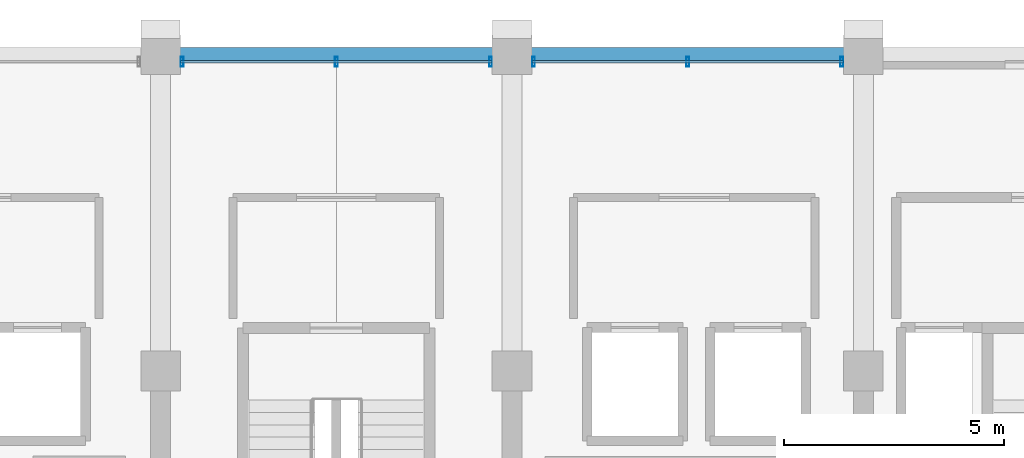
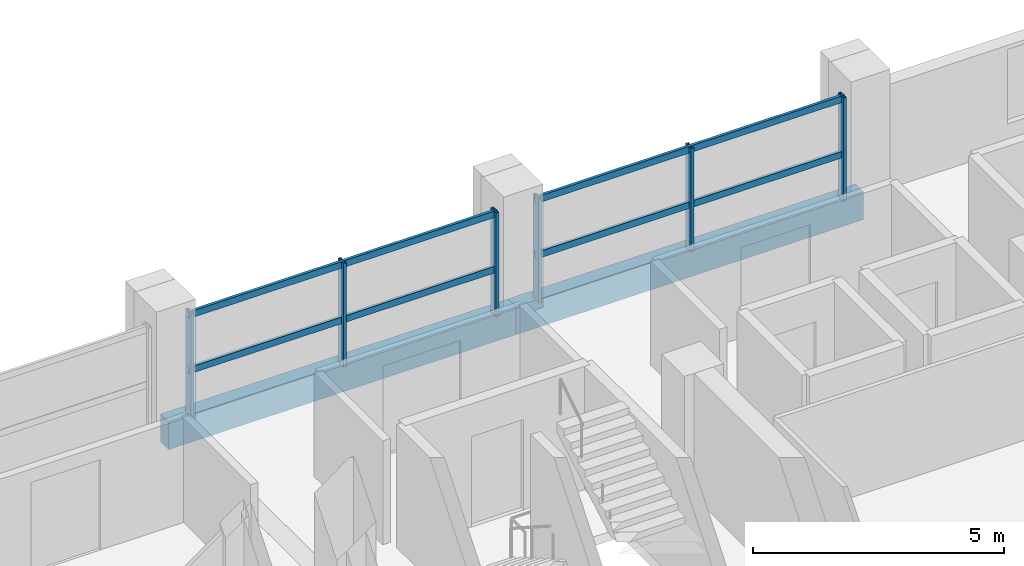
# One storey, part 12 of 21: 10 members, 2 beams, 2 elements without a shape of their own.
"""IFC4 building model written with IfcOpenShell, lengths in metres."""

from ifc_helpers import new_model, si_unit, direction, frame, origin, origin_2d, place, context, subcontext, project, spatial, rectangle, hollow_rectangle, extrude, material, material_profile, profile_set, type_object, element, aggregate, save


model = new_model("IFC4")

# Units and contexts
model_context = context("Model", 3, precision=1e-05, world=origin(), true_north=direction((0.0, 1.0)))
body_context = subcontext(model_context, "Body", "Model", "MODEL_VIEW")
ifc_project = project(units=[si_unit("LENGTHUNIT", "METRE"), si_unit("AREAUNIT", "SQUARE_METRE"), si_unit("VOLUMEUNIT", "CUBIC_METRE"), si_unit("PLANEANGLEUNIT", "RADIAN"), si_unit("MASSUNIT", "GRAM", prefix="KILO")], contexts=[model_context])

# Site, building, storey
site_placement = place(None, origin())
site = spatial("IfcSite", under=ifc_project, at=site_placement, CompositionType="ELEMENT")
building_placement = place(site_placement, origin())
building = spatial("IfcBuilding", under=site, at=building_placement, Name="Akrevak Sports Hall", CompositionType="ELEMENT")
storey_placement = place(building_placement, frame((0.0, 0.0, 34.050048828125)))
storey = spatial("IfcBuildingStorey", under=building, at=storey_placement, Name="L07", CompositionType="ELEMENT", Elevation=34.050048828125)

# Curtain wall, members
ifc_material_1 = material(Name="Anodized Bronze Aluminium & Low-E Glass", Category="aluminium")
curtain_wall_type = type_object("IfcCurtainWallType", Name="ARC-CW-TWR-56x30", PredefinedType="NOTDEFINED", material=ifc_material_1)
curtain_wall_1_placement = place(storey_placement, origin())
curtain_wall_1 = element("IfcCurtainWall", 1, at=curtain_wall_1_placement, inside=storey, type_object=curtain_wall_type, Name="Curtain Wall CW-L07-N22", PredefinedType="NOTDEFINED")
ifc_material_2 = material(Name="Anodized Bronze Aluminium", Category="aluminium")
ifc_material_profile_1 = material_profile(ifc_material_2, hollow_rectangle(XDim=0.06494140625, YDim=0.219970703125, WallThickness=0.00439453125, at=origin_2d()), Name="CWM 65x220", Category="aluminium")
ifc_profile_set_1 = profile_set([ifc_material_profile_1], Name="Anodized Bronze Aluminium")
member_type_1 = type_object("IfcMemberType", Name="ARC-CWM-70x160", PredefinedType="MULLION", material=ifc_profile_set_1)
member_1_placement = place(storey_placement, frame((91.510009765625, 69.43994140625, 0.0), z_axis=(0.0, 0.0, 1.0), x_axis=(-1.0, 0.0, 0.0)))
member_1 = element("IfcMember", 2, at=member_1_placement, type_object=member_type_1, Name="Curtain Wall Mullion CW-L07-N22-M1", PredefinedType="MULLION", context=body_context, shape_type="SweptSolid", body=[
    extrude(hollow_rectangle(XDim=0.06494140625, YDim=0.219970703125, WallThickness=0.00439453125, at=origin_2d()), origin(), (0.0, 0.0, 1.0), 2.530029296875),
])
member_2_placement = place(storey_placement, frame((88.0, 69.43994140625, 0.0), z_axis=(0.0, 0.0, 1.0), x_axis=(-1.0, 0.0, 0.0)))
member_2 = element("IfcMember", 3, at=member_2_placement, type_object=member_type_1, Name="Curtain Wall Mullion CW-L07-N22-M2", PredefinedType="MULLION", context=body_context, shape_type="SweptSolid", body=[
    extrude(hollow_rectangle(XDim=0.06494140625, YDim=0.219970703125, WallThickness=0.00439453125, at=origin_2d()), origin(), (0.0, 0.0, 1.0), 2.530029296875),
])
member_3_placement = place(storey_placement, frame((84.489990234375, 69.43994140625, 0.0), z_axis=(0.0, 0.0, 1.0), x_axis=(-1.0, 0.0, 0.0)))
member_3 = element("IfcMember", 4, at=member_3_placement, type_object=member_type_1, Name="Curtain Wall Mullion CW-L07-N22-M3", PredefinedType="MULLION", context=body_context, shape_type="SweptSolid", body=[
    extrude(hollow_rectangle(XDim=0.06494140625, YDim=0.219970703125, WallThickness=0.00439453125, at=origin_2d()), origin(), (0.0, 0.0, 1.0), 2.530029296875),
])

curtain_wall_2_placement = place(storey_placement, origin())
curtain_wall_2 = element("IfcCurtainWall", 5, at=curtain_wall_2_placement, inside=storey, type_object=curtain_wall_type, Name="Curtain Wall CW-L07-N23", PredefinedType="NOTDEFINED")
member_4_placement = place(storey_placement, frame((83.510009765625, 69.43994140625, 0.0), z_axis=(0.0, 0.0, 1.0), x_axis=(-1.0, 0.0, 0.0)))
member_4 = element("IfcMember", 6, at=member_4_placement, type_object=member_type_1, Name="Curtain Wall Mullion CW-L07-N23-M1", PredefinedType="MULLION", context=body_context, shape_type="SweptSolid", body=[
    extrude(hollow_rectangle(XDim=0.06494140625, YDim=0.219970703125, WallThickness=0.00439453125, at=origin_2d()), origin(), (0.0, 0.0, 1.0), 2.530029296875),
])
member_5_placement = place(storey_placement, frame((80.0, 69.43994140625, 0.0), z_axis=(0.0, 0.0, 1.0), x_axis=(-1.0, 0.0, 0.0)))
member_5 = element("IfcMember", 7, at=member_5_placement, type_object=member_type_1, Name="Curtain Wall Mullion CW-L07-N23-M2", PredefinedType="MULLION", context=body_context, shape_type="SweptSolid", body=[
    extrude(hollow_rectangle(XDim=0.06494140625, YDim=0.219970703125, WallThickness=0.00439453125, at=origin_2d()), origin(), (0.0, 0.0, 1.0), 2.530029296875),
])
member_6_placement = place(storey_placement, frame((76.489990234375, 69.43994140625, 0.0), z_axis=(0.0, 0.0, 1.0), x_axis=(-1.0, 0.0, 0.0)))
member_6 = element("IfcMember", 8, at=member_6_placement, type_object=member_type_1, Name="Curtain Wall Mullion CW-L07-N23-M3", PredefinedType="MULLION", context=body_context, shape_type="SweptSolid", body=[
    extrude(hollow_rectangle(XDim=0.06494140625, YDim=0.219970703125, WallThickness=0.00439453125, at=origin_2d()), origin(), (0.0, 0.0, 1.0), 2.530029296875),
])

# Member
ifc_material_profile_2 = material_profile(ifc_material_2, hollow_rectangle(XDim=0.06494140625, YDim=0.159912109375, WallThickness=0.00390625, at=origin_2d()), Name="CWT 65x160", Category="aluminium")
ifc_profile_set_2 = profile_set([ifc_material_profile_2], Name="Anodized Bronze Aluminium")
member_type_2 = type_object("IfcMemberType", Name="ARC-CWT-70x130", PredefinedType="USERDEFINED", material=ifc_profile_set_2)
member_7_placement = place(storey_placement, frame((91.550048828125, 69.43994140625, 1.099853515625), z_axis=(-1.0, 0.0, 0.0), x_axis=(0.0, -1.0, 0.0)))
member_7 = element("IfcMember", 9, at=member_7_placement, type_object=member_type_2, Name="Curtain Wall Transom CW-L07-N22-T1", ObjectType="TRANSOM", PredefinedType="USERDEFINED", context=body_context, shape_type="SweptSolid", body=[
    extrude(hollow_rectangle(XDim=0.06494140625, YDim=0.159912109375, WallThickness=0.00390625, at=origin_2d()), origin(), (0.0, 0.0, 1.0), 7.10009765625),
])

member_8_placement = place(storey_placement, frame((91.550048828125, 69.43994140625, 2.449951171875), z_axis=(-1.0, 0.0, 0.0), x_axis=(0.0, -1.0, 0.0)))
member_8 = element("IfcMember", 10, at=member_8_placement, type_object=member_type_2, Name="Curtain Wall Transom CW-L07-N22-T2", ObjectType="TRANSOM", PredefinedType="USERDEFINED", context=body_context, shape_type="SweptSolid", body=[
    extrude(hollow_rectangle(XDim=0.06494140625, YDim=0.159912109375, WallThickness=0.00390625, at=origin_2d()), origin(), (0.0, 0.0, 1.0), 7.10009765625),
])

aggregate(curtain_wall_1, [member_1, member_2, member_3, member_7, member_8])

member_9_placement = place(storey_placement, frame((83.550048828125, 69.43994140625, 1.099853515625), z_axis=(-1.0, 0.0, 0.0), x_axis=(0.0, -1.0, 0.0)))
member_9 = element("IfcMember", 11, at=member_9_placement, type_object=member_type_2, Name="Curtain Wall Transom CW-L07-N23-T1", ObjectType="TRANSOM", PredefinedType="USERDEFINED", context=body_context, shape_type="SweptSolid", body=[
    extrude(hollow_rectangle(XDim=0.06494140625, YDim=0.159912109375, WallThickness=0.00390625, at=origin_2d()), origin(), (0.0, 0.0, 1.0), 7.10009765625),
])

member_10_placement = place(storey_placement, frame((83.550048828125, 69.43994140625, 2.449951171875), z_axis=(-1.0, 0.0, 0.0), x_axis=(0.0, -1.0, 0.0)))
member_10 = element("IfcMember", 12, at=member_10_placement, type_object=member_type_2, Name="Curtain Wall Transom CW-L07-N23-T2", ObjectType="TRANSOM", PredefinedType="USERDEFINED", context=body_context, shape_type="SweptSolid", body=[
    extrude(hollow_rectangle(XDim=0.06494140625, YDim=0.159912109375, WallThickness=0.00390625, at=origin_2d()), origin(), (0.0, 0.0, 1.0), 7.10009765625),
])

aggregate(curtain_wall_2, [member_4, member_5, member_6, member_9, member_10])

# Beams
ifc_material_3 = material(Name="Concrete C40/50", Category="concrete")
ifc_material_profile_3 = material_profile(ifc_material_3, rectangle(XDim=0.320068359375, YDim=0.679931640625, at=origin_2d()), Name="SPD 320x680", Category="concrete")
ifc_profile_set_3 = profile_set([ifc_material_profile_3], Name="Concrete C40/50")
beam_type = type_object("IfcBeamType", Name="STR-SPD-RC320x680", PredefinedType="SPANDREL", material=ifc_profile_set_3)
for number, where, z_axis, x_axis, name in (
    (13, (76.0, 69.60009765625, -0.340087890625), (1.0, 0.0, 0.0), (0.0, 1.0, 0.0), "Girder K/11-12 (L07)"),
    (14, (84.0, 69.60009765625, -0.340087890625), (1.0, 0.0, 0.0), (0.0, 1.0, 0.0), "Girder K/12-13 (L07)"),
):
    element("IfcBeam", number, at=place(storey_placement, frame(where, z_axis=z_axis, x_axis=x_axis)), inside=storey, type_object=beam_type, Name=name, PredefinedType="SPANDREL", context=body_context, shape_type="SweptSolid", body=[
        extrude(rectangle(XDim=0.320068359375, YDim=0.679931640625, at=origin_2d()), origin(), (0.0, 0.0, 1.0), 8.0),
    ])

save(model, "model.ifc")
